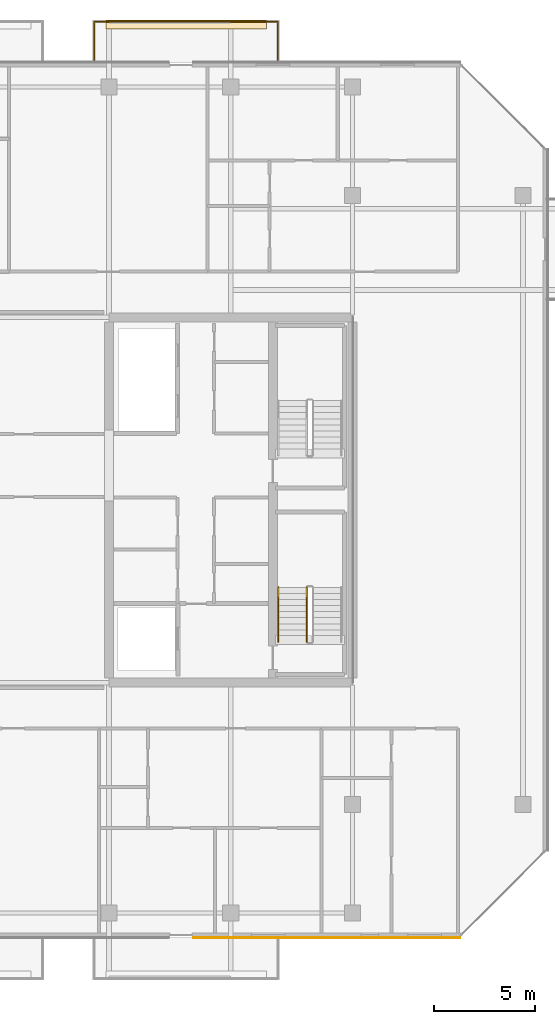
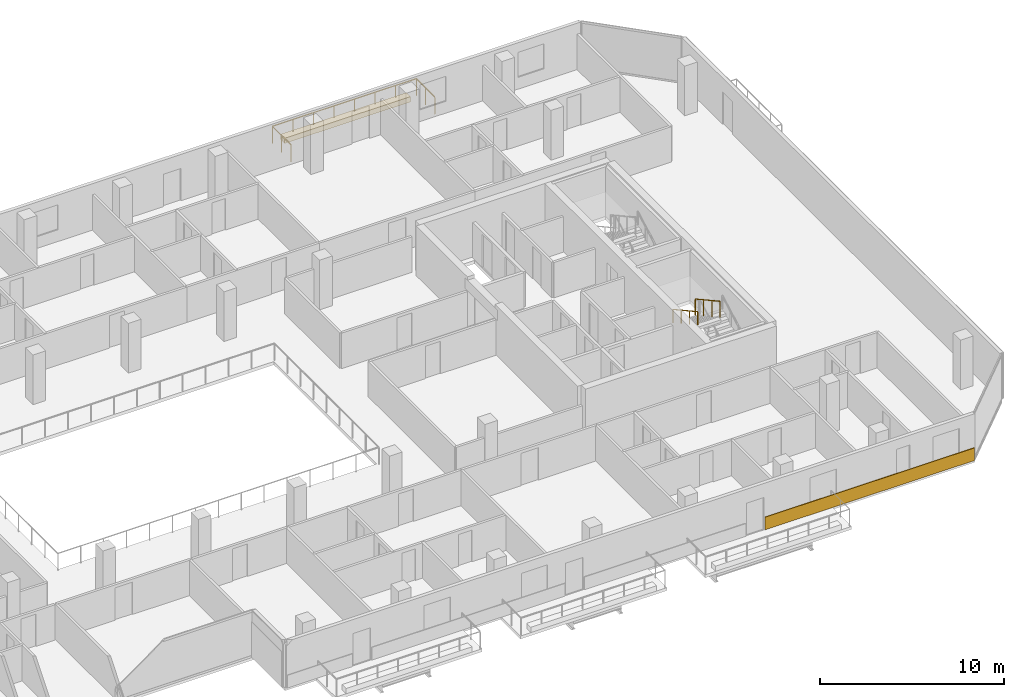
# One storey, part 28 of 29: 3 railings, 2 coverings.
"""IFC4 building model written with IfcOpenShell, lengths in metres."""

from ifc_helpers import new_model, si_unit, direction, frame, origin, origin_2d, place, context, subcontext, project, spatial, polyline, rectangle, outline, extrude, material, layer, layer_set, type_object, element, save


model = new_model("IFC4")

# Units and contexts
model_context = context("Model", 3, precision=1e-05, world=origin(), true_north=direction((0.0, 1.0)))
body_context = subcontext(model_context, "Body", "Model", "MODEL_VIEW")
ifc_project = project(units=[si_unit("LENGTHUNIT", "METRE"), si_unit("AREAUNIT", "SQUARE_METRE"), si_unit("VOLUMEUNIT", "CUBIC_METRE"), si_unit("PLANEANGLEUNIT", "RADIAN"), si_unit("MASSUNIT", "GRAM", prefix="KILO")], contexts=[model_context])

# Site, building, storey
site_placement = place(None, origin())
site = spatial("IfcSite", under=ifc_project, at=site_placement, CompositionType="ELEMENT")
building_placement = place(site_placement, origin())
building = spatial("IfcBuilding", under=site, at=building_placement, Name="Tanjung Sevakor Pilgrim Tower", CompositionType="ELEMENT")
storey_placement = place(building_placement, frame((0.0, 0.0, 181.830078125)))
storey = spatial("IfcBuildingStorey", under=building, at=storey_placement, Name="L50", CompositionType="ELEMENT", Elevation=181.830078125)

# Coverings
ifc_material_1 = material(Name="Reconstructed Limestone Cladding", Category="masonry")
ifc_layer_1 = layer(ifc_material_1, 0.044921875)
ifc_layer_set_1 = layer_set([ifc_layer_1], Name="COV-CLAD-LIMESTONE")
covering_type_1 = type_object("IfcCoveringType", Name="COV-CLAD-LIMESTONE", PredefinedType="CLADDING", material=ifc_layer_set_1)
covering_1_placement = place(storey_placement, frame((88.7373046875, 12.027587890625, 0.009765625), z_axis=(0.0, 0.0, 1.0), x_axis=(1.0, 0.0, 0.0)))
element("IfcCovering", 1, at=covering_1_placement, inside=storey, type_object=covering_type_1, Name="L50 Warm Limestone Sill Spandrel EW-L50-MAIN-5-4", PredefinedType="CLADDING", context=body_context, shape_type="SweptSolid", body=[
    extrude(rectangle(XDim=13.154296875, YDim=0.044921875, at=origin_2d()), origin(), (0.0, 0.0, 1.0), 0.840087890625),
])
ifc_material_2 = material(Name="Vegetated Modular Planter Assembly", Category="organic")
ifc_layer_2 = layer(ifc_material_2, 0.35009765625)
ifc_layer_set_2 = layer_set([ifc_layer_2], Name="COV-GRN-TROUGH")
covering_type_2 = type_object("IfcCoveringType", Name="COV-GRN-TROUGH", PredefinedType="CLADDING", material=ifc_layer_set_2)
covering_2_placement = place(storey_placement, origin())
element("IfcCovering", 2, at=covering_2_placement, inside=storey, type_object=covering_type_2, Name="L50 Planted Landscape Hedge Trough BGRN-L50-MAIN-N4", PredefinedType="CLADDING", context=body_context, shape_type="SweptSolid", body=[
    extrude(outline(polyline([(77.85009765625, 56.81005859375), (85.75, 56.81005859375), (85.75, 57.25), (77.85009765625, 57.25), (77.85009765625, 56.81005859375)])), origin(), (0.0, 0.0, 1.0), 0.349853515625),
])

# Railings
ifc_material_3 = material(Name="Laminated Glass and Aluminium", Category="aluminium")
railing_type_1 = type_object("IfcRailingType", Name="RL-BAL-BALUST", PredefinedType="BALUSTRADE", material=ifc_material_3)
railing_1_placement = place(storey_placement, frame((77.280029296875, 55.14990234375, 0.0)))
element("IfcRailing", 3, at=railing_1_placement, inside=storey, type_object=railing_type_1, Name="L50 Loggia Balustrade MAIN-N4", PredefinedType="BALUSTRADE", context=body_context, shape_type="SweptSolid", body=[
    extrude(rectangle(XDim=0.0479, YDim=0.0479), frame((0.0, 0.0, 1.1259765625), z_axis=(0.0, 1.0, 0.0), x_axis=(-1.0, 0.0, 0.0)), (0.0, 0.0, 1.0), 2.02001953125),
    extrude(rectangle(XDim=0.0479, YDim=0.0479), frame((0.0, 2.02001953125, 1.1259765625), z_axis=(1.0, 0.0, 0.0), x_axis=(0.0, 1.0, 0.0)), (0.0, 0.0, 1.0), 9.0400390625),
    extrude(rectangle(XDim=0.0479, YDim=0.0479), frame((9.0400390625, 2.02001953125, 1.1259765625), z_axis=(0.0, -1.0, 0.0), x_axis=(1.0, 0.0, 0.0)), (0.0, 0.0, 1.0), 2.02001953125),
    extrude(rectangle(XDim=0.042, YDim=0.042), origin(), (0.0, 0.0, 1.0), 1.101806640625),
    extrude(rectangle(XDim=0.042, YDim=0.042), frame((0.0, 1.010009765625, 0.0)), (0.0, 0.0, 1.0), 1.101806640625),
    extrude(rectangle(XDim=0.042, YDim=0.042), frame((0.0, 2.02001953125, 0.0)), (0.0, 0.0, 1.0), 1.101806640625),
    extrude(rectangle(XDim=0.042, YDim=0.042), frame((1.29150390625, 2.02001953125, 0.0)), (0.0, 0.0, 1.0), 1.101806640625),
    extrude(rectangle(XDim=0.042, YDim=0.042), frame((2.582763671875, 2.02001953125, 0.0)), (0.0, 0.0, 1.0), 1.101806640625),
    extrude(rectangle(XDim=0.042, YDim=0.042), frame((3.874267578125, 2.02001953125, 0.0)), (0.0, 0.0, 1.0), 1.101806640625),
    extrude(rectangle(XDim=0.042, YDim=0.042), frame((5.165771484375, 2.02001953125, 0.0)), (0.0, 0.0, 1.0), 1.101806640625),
    extrude(rectangle(XDim=0.042, YDim=0.042), frame((6.457275390625, 2.02001953125, 0.0)), (0.0, 0.0, 1.0), 1.101806640625),
    extrude(rectangle(XDim=0.042, YDim=0.042), frame((7.74853515625, 2.02001953125, 0.0)), (0.0, 0.0, 1.0), 1.101806640625),
    extrude(rectangle(XDim=0.042, YDim=0.042), frame((9.0400390625, 2.02001953125, 0.0)), (0.0, 0.0, 1.0), 1.101806640625),
    extrude(rectangle(XDim=0.042, YDim=0.042), frame((9.0400390625, 1.010009765625, 0.0)), (0.0, 0.0, 1.0), 1.101806640625),
    extrude(rectangle(XDim=0.042, YDim=0.042), frame((9.0400390625, 0.0, 0.0)), (0.0, 0.0, 1.0), 1.101806640625),
])
ifc_material_4 = material(Name="Steel S355J2", Category="steel")
railing_type_2 = type_object("IfcRailingType", Name="RL-STAIR-GUARD", PredefinedType="GUARDRAIL", material=ifc_material_4)
railing_2_placement = place(storey_placement, frame((87.75, 29.300048828125, 1.81494140625)))
element("IfcRailing", 4, at=railing_2_placement, inside=storey, type_object=railing_type_2, Name="L50 TS-E1 stair guard 3", PredefinedType="GUARDRAIL", context=body_context, shape_type="SweptSolid", body=[
    extrude(rectangle(XDim=0.0479, YDim=0.0479), frame((0.0, 0.0, 1.076171875), z_axis=(0.0, -0.876230963923, 0.481891375584), x_axis=(1.0, 0.0, 0.0)), (0.0, 0.0, 1.0), 3.081298828125),
    extrude(rectangle(XDim=0.042, YDim=0.042), origin(), (0.0, 0.0, 1.0), 1.052001953125),
    extrude(rectangle(XDim=0.042, YDim=0.042), frame((0.0, -0.89990234375, 0.494873046875)), (0.0, 0.0, 1.0), 1.052001953125),
    extrude(rectangle(XDim=0.042, YDim=0.042), frame((0.0, -1.800048828125, 0.989990234375)), (0.0, 0.0, 1.0), 1.052001953125),
    extrude(rectangle(XDim=0.042, YDim=0.042), frame((0.0, -2.699951171875, 1.48486328125)), (0.0, 0.0, 1.0), 1.052001953125),
])
ifc_material_5 = material(Name="Steel S355J2", Category="steel")
railing_type_3 = type_object("IfcRailingType", Name="RL-STAIR-HAND", PredefinedType="HANDRAIL", material=ifc_material_5)
railing_3_placement = place(storey_placement, frame((86.35009765625, 29.300048828125, 1.81494140625)))
element("IfcRailing", 5, at=railing_3_placement, inside=storey, type_object=railing_type_3, Name="L50 TS-E1 stair handrail 2", PredefinedType="HANDRAIL", context=body_context, shape_type="SweptSolid", body=[
    extrude(rectangle(XDim=0.0479, YDim=0.0479), frame((0.0, 0.0, 0.8759765625), z_axis=(0.0, -0.876230963923, 0.481891375584), x_axis=(1.0, 0.0, 0.0)), (0.0, 0.0, 1.0), 3.081298828125),
    extrude(rectangle(XDim=0.042, YDim=0.042), origin(), (0.0, 0.0, 1.0), 0.851806640625),
    extrude(rectangle(XDim=0.042, YDim=0.042), frame((0.0, -0.89990234375, 0.494873046875)), (0.0, 0.0, 1.0), 0.851806640625),
    extrude(rectangle(XDim=0.042, YDim=0.042), frame((0.0, -1.800048828125, 0.989990234375)), (0.0, 0.0, 1.0), 0.851806640625),
    extrude(rectangle(XDim=0.042, YDim=0.042), frame((0.0, -2.699951171875, 1.48486328125)), (0.0, 0.0, 1.0), 0.851806640625),
])

save(model, "model.ifc")
